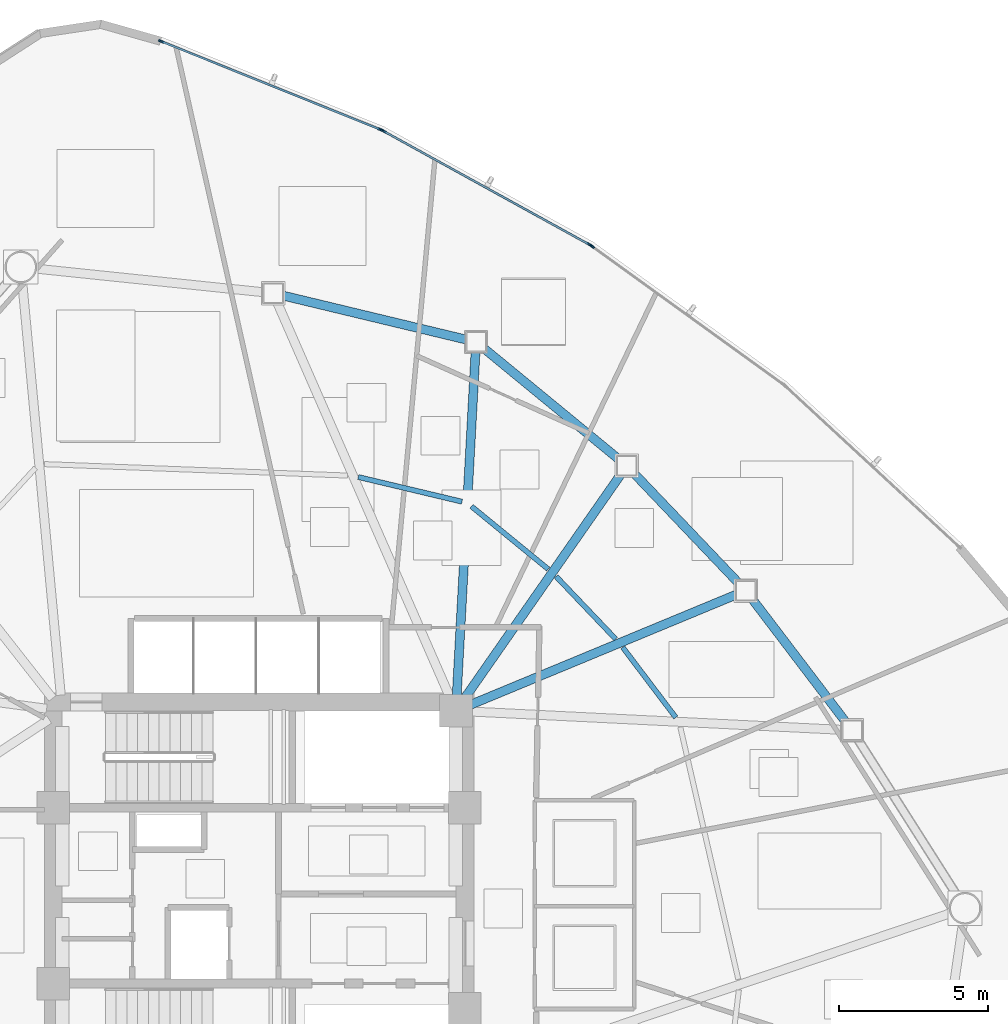
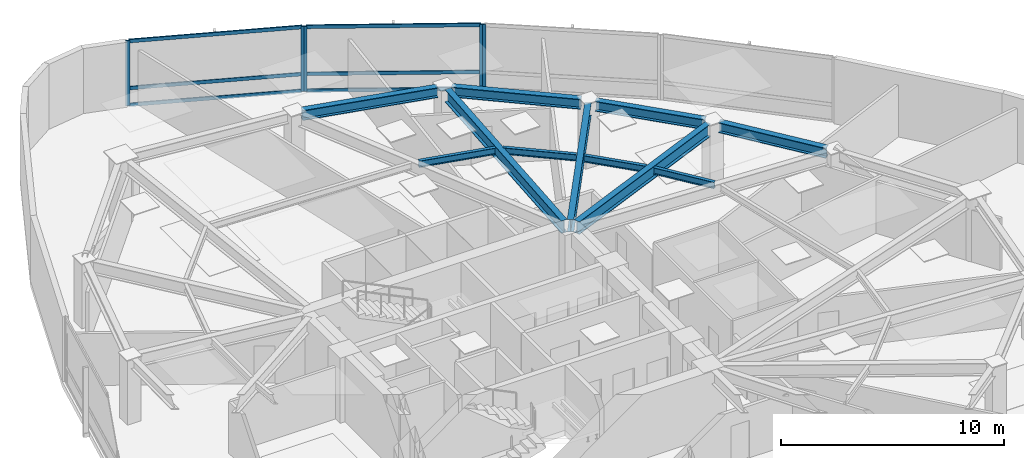
# One storey, part 8 of 17: 11 beams, 11 members, 3 elements without a shape of their own.
"""IFC4 building model written with IfcOpenShell, lengths in metres."""

from ifc_helpers import new_model, si_unit, direction, frame, origin, origin_2d, place, context, subcontext, project, spatial, hollow_rectangle, i_section, extrude, source, transform, mapped, material, layer, layer_set, material_profile, profile_set, type_object, type_shapes, element, aggregate, save


model = new_model("IFC4")

# Units and contexts
model_context = context("Model", 3, precision=1e-05, world=origin(), true_north=direction((0.0, 1.0)))
body_context = subcontext(model_context, "Body", "Model", "MODEL_VIEW")
ifc_project = project(units=[si_unit("LENGTHUNIT", "METRE"), si_unit("AREAUNIT", "SQUARE_METRE"), si_unit("VOLUMEUNIT", "CUBIC_METRE"), si_unit("PLANEANGLEUNIT", "RADIAN"), si_unit("MASSUNIT", "GRAM", prefix="KILO")], contexts=[model_context])

# Site, building, storey
site_placement = place(None, origin())
site = spatial("IfcSite", under=ifc_project, at=site_placement, CompositionType="ELEMENT")
building_placement = place(site_placement, origin())
building = spatial("IfcBuilding", under=site, at=building_placement, Name="Tavelor Broadcast Tower", CompositionType="ELEMENT")
storey_placement = place(building_placement, frame((0.0, 0.0, 119.449951171875)))
storey = spatial("IfcBuildingStorey", under=building, at=storey_placement, Name="L27", CompositionType="ELEMENT", Elevation=119.449951171875)

# Beams
ifc_material_1 = material(Name="Steel S355", Category="steel")
ifc_material_profile_1 = material_profile(ifc_material_1, i_section(OverallWidth=0.169921875, OverallDepth=0.360107421875, WebThickness=0.008056640625, FlangeThickness=0.0126953125, at=origin_2d()), Name="IPE 360")
ifc_profile_set_1 = profile_set([ifc_material_profile_1], Name="Steel S355")
beam_type_1 = type_object("IfcBeamType", Name="Composite Floor Joist T3 IPE 360", PredefinedType="JOIST", material=ifc_profile_set_1)
beam_1_placement = place(storey_placement, frame((63.97509765625, 50.974853515625, 3.3701171875), z_axis=(-0.603343158319, 0.797481682116, 0.0), x_axis=(-0.797481682116, -0.603343158319, 0.0)))
element("IfcBeam", 1, at=beam_1_placement, inside=storey, type_object=beam_type_1, Name="L27 Secondary Composite Floor Joist 14", PredefinedType="JOIST", context=body_context, shape_type="SweptSolid", body=[
    extrude(i_section(OverallWidth=0.169921875, OverallDepth=0.360107421875, WebThickness=0.008056640625, FlangeThickness=0.0126953125, at=origin_2d()), origin(), (0.0, 0.0, 1.0), 2.951416015625),
])
beam_2_placement = place(storey_placement, frame((61.960205078125, 53.60400390625, 3.3701171875), z_axis=(-0.689436692526, 0.724345944283, 0.0), x_axis=(-0.724345944283, -0.689436692526, 0.0)))
element("IfcBeam", 2, at=beam_2_placement, inside=storey, type_object=beam_type_1, Name="L27 Secondary Composite Floor Joist 15", PredefinedType="JOIST", context=body_context, shape_type="SweptSolid", body=[
    extrude(i_section(OverallWidth=0.169921875, OverallDepth=0.360107421875, WebThickness=0.008056640625, FlangeThickness=0.0126953125, at=origin_2d()), origin(), (0.0, 0.0, 1.0), 2.90234375),
])
beam_3_placement = place(storey_placement, frame((59.6943359375, 55.951904296875, 3.3701171875), z_axis=(-0.774130723206, 0.633025768345, 0.0), x_axis=(-0.633025768345, -0.774130723206, 0.0)))
element("IfcBeam", 3, at=beam_3_placement, inside=storey, type_object=beam_type_1, Name="L27 Secondary Composite Floor Joist 16", PredefinedType="JOIST", context=body_context, shape_type="SweptSolid", body=[
    extrude(i_section(OverallWidth=0.169921875, OverallDepth=0.360107421875, WebThickness=0.008056640625, FlangeThickness=0.0126953125, at=origin_2d()), origin(), (0.0, 0.0, 1.0), 3.32373046875),
])
beam_4_placement = place(storey_placement, frame((56.80517578125, 58.21240234375, 3.3701171875), z_axis=(-0.972854549724, 0.231417426056, 0.0), x_axis=(-0.231417426056, -0.972854549724, 0.0)))
element("IfcBeam", 4, at=beam_4_placement, inside=storey, type_object=beam_type_1, Name="L27 Secondary Composite Floor Joist 17", PredefinedType="JOIST", context=body_context, shape_type="SweptSolid", body=[
    extrude(i_section(OverallWidth=0.169921875, OverallDepth=0.360107421875, WebThickness=0.008056640625, FlangeThickness=0.0126953125, at=origin_2d()), origin(), (0.0, 0.0, 1.0), 3.575439453125),
])
ifc_material_profile_2 = material_profile(ifc_material_1, i_section(OverallWidth=0.300048828125, OverallDepth=0.550048828125, WebThickness=0.014892578125, FlangeThickness=0.029052734375, at=origin_2d()), Name="HEB 550")
ifc_profile_set_2 = profile_set([ifc_material_profile_2], Name="Steel S355")
beam_type_2 = type_object("IfcBeamType", Name="Perimeter Spandrel Beam T3 HEB 550", PredefinedType="SPANDREL", material=ifc_profile_set_2)
beam_5_placement = place(storey_placement, frame((69.6826171875, 50.8115234375, 3.275146484375), z_axis=(-0.605507005058, 0.795839975639, 0.0), x_axis=(-0.795839975639, -0.605507005058, 0.0)))
element("IfcBeam", 5, at=beam_5_placement, inside=storey, type_object=beam_type_2, Name="L27 Framed-Tube Ring Spandrel 14", PredefinedType="SPANDREL", context=body_context, shape_type="SweptSolid", body=[
    extrude(i_section(OverallWidth=0.300048828125, OverallDepth=0.550048828125, WebThickness=0.014892578125, FlangeThickness=0.029052734375, at=origin_2d()), origin(), (0.0, 0.0, 1.0), 5.214111328125),
])
beam_6_placement = place(storey_placement, frame((66.090087890625, 55.471923828125, 3.275146484375), z_axis=(-0.689928162502, 0.723877842309, 0.0), x_axis=(-0.723877842309, -0.689928162502, 0.0)))
element("IfcBeam", 6, at=beam_6_placement, inside=storey, type_object=beam_type_2, Name="L27 Framed-Tube Ring Spandrel 15", PredefinedType="SPANDREL", context=body_context, shape_type="SweptSolid", body=[
    extrude(i_section(OverallWidth=0.300048828125, OverallDepth=0.550048828125, WebThickness=0.014892578125, FlangeThickness=0.029052734375, at=origin_2d()), origin(), (0.0, 0.0, 1.0), 5.113037109375),
])
beam_7_placement = place(storey_placement, frame((62.0712890625, 59.62939453125, 3.275146484375), z_axis=(-0.772702936962, 0.634767808896, 0.0), x_axis=(-0.634767808896, -0.772702936962, 0.0)))
element("IfcBeam", 7, at=beam_7_placement, inside=storey, type_object=beam_type_2, Name="L27 Framed-Tube Ring Spandrel 16", PredefinedType="SPANDREL", context=body_context, shape_type="SweptSolid", body=[
    extrude(i_section(OverallWidth=0.300048828125, OverallDepth=0.550048828125, WebThickness=0.014892578125, FlangeThickness=0.029052734375, at=origin_2d()), origin(), (0.0, 0.0, 1.0), 5.869140625),
])
beam_8_placement = place(storey_placement, frame((56.949951171875, 63.64697265625, 3.275146484375), z_axis=(-0.972363823797, 0.233470756565, 0.0), x_axis=(-0.233470756565, -0.972363823797, 0.0)))
element("IfcBeam", 8, at=beam_8_placement, inside=storey, type_object=beam_type_2, Name="L27 Framed-Tube Ring Spandrel 17", PredefinedType="SPANDREL", context=body_context, shape_type="SweptSolid", body=[
    extrude(i_section(OverallWidth=0.300048828125, OverallDepth=0.550048828125, WebThickness=0.014892578125, FlangeThickness=0.029052734375, at=origin_2d()), origin(), (0.0, 0.0, 1.0), 6.325439453125),
])
ifc_material_profile_3 = material_profile(ifc_material_1, i_section(OverallWidth=0.300048828125, OverallDepth=0.68994140625, WebThickness=0.014404296875, FlangeThickness=0.027099609375, at=origin_2d()), Name="HEA 700")
ifc_profile_set_3 = profile_set([ifc_material_profile_3], Name="Steel S355")
beam_type_3 = type_object("IfcBeamType", Name="Radial Floor Girder T3 HEA 700", PredefinedType="BEAM", material=ifc_profile_set_3)
beam_9_placement = place(storey_placement, frame((57.087890625, 51.402099609375, 3.205078125), z_axis=(0.92381625254, 0.382836168018, 0.0), x_axis=(-0.382836168018, 0.92381625254, 0.0)))
element("IfcBeam", 9, at=beam_9_placement, inside=storey, type_object=beam_type_3, Name="L27 Radial Primary Floor Girder 15", PredefinedType="BEAM", context=body_context, shape_type="SweptSolid", body=[
    extrude(i_section(OverallWidth=0.300048828125, OverallDepth=0.68994140625, WebThickness=0.014404296875, FlangeThickness=0.027099609375, at=origin_2d()), origin(), (0.0, 0.0, 1.0), 9.659423828125),
])
beam_10_placement = place(storey_placement, frame((56.902099609375, 51.633056640625, 3.205078125), z_axis=(0.572088555537, 0.820191858423, 0.0), x_axis=(-0.820191858423, 0.572088555537, 0.0)))
element("IfcBeam", 10, at=beam_10_placement, inside=storey, type_object=beam_type_3, Name="L27 Radial Primary Floor Girder 16", PredefinedType="BEAM", context=body_context, shape_type="SweptSolid", body=[
    extrude(i_section(OverallWidth=0.300048828125, OverallDepth=0.68994140625, WebThickness=0.014404296875, FlangeThickness=0.027099609375, at=origin_2d()), origin(), (0.0, 0.0, 1.0), 9.1533203125),
])
beam_11_placement = place(storey_placement, frame((56.62890625, 51.727294921875, 3.205078125), z_axis=(0.054621583664, 0.998507126964, 0.0), x_axis=(-0.998507126964, 0.054621583664, 0.0)))
element("IfcBeam", 11, at=beam_11_placement, inside=storey, type_object=beam_type_3, Name="L27 Radial Primary Floor Girder 17", PredefinedType="BEAM", context=body_context, shape_type="SweptSolid", body=[
    extrude(i_section(OverallWidth=0.300048828125, OverallDepth=0.68994140625, WebThickness=0.014404296875, FlangeThickness=0.027099609375, at=origin_2d()), origin(), (0.0, 0.0, 1.0), 11.522705078125),
])

# Curtain wall, members
ifc_material_2 = material(Name="Architectural Anodized Aluminium", Category="aluminium")
ifc_layer = layer(ifc_material_2, 0.18994140625)
ifc_layer_set = layer_set([ifc_layer], Name="Architectural Anodized Aluminium")
curtain_wall_type = type_object("IfcCurtainWallType", Name="Tower Mid-Zone Acoustic Curtain Wall CW03", PredefinedType="NOTDEFINED", material=ifc_layer_set)
curtain_wall_1_placement = place(storey_placement, origin())
curtain_wall_1 = element("IfcCurtainWall", 12, at=curtain_wall_1_placement, inside=storey, type_object=curtain_wall_type, Name="L27 Curtain Wall CW03 Run 275", PredefinedType="NOTDEFINED")
ifc_material_profile_4 = material_profile(ifc_material_2, hollow_rectangle(XDim=0.068115234375, YDim=0.18994140625, WallThickness=0.02197265625, at=origin_2d()), Name="RHS 68x190x22")
ifc_profile_set_4 = profile_set([ifc_material_profile_4], Name="Architectural Anodized Aluminium")
member_type_1 = type_object("IfcMemberType", Name="CW03 Extruded Aluminium Transom 68x190", PredefinedType="USERDEFINED", material=ifc_profile_set_4)
shared_shape_1 = source(origin(), body_context, "Body", "SweptSolid", [
    extrude(hollow_rectangle(XDim=0.068115234375, YDim=0.18994140625, WallThickness=0.02197265625, at=origin_2d()), origin(), (0.0, 0.0, 1.0), 7.837890625),
])
member_1_placement = place(storey_placement, frame((61.05126953125, 66.846435546875, 0.033935546875), z_axis=(-0.875678067242, 0.482895353624, 0.0), x_axis=(-0.482895353624, -0.875678067242, 0.0)))
member_1 = element("IfcMember", 13, at=member_1_placement, type_object=member_type_1, Name="CW03 transom 1.1", ObjectType="TRANSOM", PredefinedType="USERDEFINED", context=body_context, shape_type="MappedRepresentation", body=[
    mapped(shared_shape_1, transform((0.0, 0.0, 0.0), scale=1.0)),
])
member_2_placement = place(storey_placement, frame((61.05126953125, 66.846435546875, 0.949951171875), z_axis=(-0.875678067242, 0.482895353624, 0.0), x_axis=(-0.482895353624, -0.875678067242, 0.0)))
member_2 = element("IfcMember", 14, at=member_2_placement, type_object=member_type_1, Name="CW03 transom 1.2", ObjectType="TRANSOM", PredefinedType="USERDEFINED", context=body_context, shape_type="MappedRepresentation", body=[
    mapped(shared_shape_1, transform((0.0, 0.0, 0.0), scale=1.0)),
])
member_3_placement = place(storey_placement, frame((61.05126953125, 66.846435546875, 3.51611328125), z_axis=(-0.875678067242, 0.482895353624, 0.0), x_axis=(-0.482895353624, -0.875678067242, 0.0)))
member_3 = element("IfcMember", 15, at=member_3_placement, type_object=member_type_1, Name="CW03 transom 1.3", ObjectType="TRANSOM", PredefinedType="USERDEFINED", context=body_context, shape_type="MappedRepresentation", body=[
    mapped(shared_shape_1, transform((0.0, 0.0, 0.0), scale=1.0)),
])

# Curtain wall, member
curtain_wall_2_placement = place(storey_placement, origin())
curtain_wall_2 = element("IfcCurtainWall", 16, at=curtain_wall_2_placement, inside=storey, type_object=curtain_wall_type, Name="L27 Curtain Wall CW03 Run 274", PredefinedType="NOTDEFINED")
ifc_material_profile_5 = material_profile(ifc_material_2, hollow_rectangle(XDim=0.068115234375, YDim=0.18994140625, WallThickness=0.02197265625, at=origin_2d()), Name="RHS 68x190x22")
ifc_profile_set_5 = profile_set([ifc_material_profile_5], Name="Architectural Anodized Aluminium")
member_type_2 = type_object("IfcMemberType", Name="CW03 Extruded Aluminium Mullion 68x190", PredefinedType="MULLION", material=ifc_profile_set_5)
shared_shape_2 = source(origin(), body_context, "Body", "SweptSolid", [
    extrude(hollow_rectangle(XDim=0.068115234375, YDim=0.18994140625, WallThickness=0.02197265625, at=origin_2d()), origin(), (0.0, 0.0, 1.0), 3.550048828125),
])
type_shapes(member_type_2, [shared_shape_2])
member_4_placement = place(storey_placement, frame((61.163818359375, 66.777587890625, 0.0), z_axis=(0.0, 0.0, 1.0), x_axis=(-0.585312883874, -0.810807515981, 0.0)))
member_4 = element("IfcMember", 17, at=member_4_placement, type_object=member_type_2, Name="CW03 mullion 2", PredefinedType="MULLION", context=body_context, shape_type="MappedRepresentation", body=[
    mapped(shared_shape_2, transform((0.0, 0.0, 0.0), scale=1.0)),
])
aggregate(curtain_wall_2, [member_4])

# Member
member_5_placement = place(storey_placement, frame((61.0810546875, 66.830078125, 0.0), z_axis=(0.0, 0.0, 1.0), x_axis=(-0.482888028925, -0.87568210643, 0.0)))
member_5 = element("IfcMember", 18, at=member_5_placement, type_object=member_type_2, Name="CW03 mullion 1", PredefinedType="MULLION", context=body_context, shape_type="MappedRepresentation", body=[
    mapped(shared_shape_2, transform((0.0, 0.0, 0.0), scale=1.0)),
])

member_6_placement = place(storey_placement, frame((54.157958984375, 70.647705078125, 0.0), z_axis=(0.0, 0.0, 1.0), x_axis=(-0.482888028925, -0.87568210643, 0.0)))
member_6 = element("IfcMember", 19, at=member_6_placement, type_object=member_type_2, Name="CW03 mullion 2", PredefinedType="MULLION", context=body_context, shape_type="MappedRepresentation", body=[
    mapped(shared_shape_2, transform((0.0, 0.0, 0.0), scale=1.0)),
])

aggregate(curtain_wall_1, [member_5, member_6, member_1, member_2, member_3])

# Curtain wall, members
curtain_wall_3_placement = place(storey_placement, origin())
curtain_wall_3 = element("IfcCurtainWall", 20, at=curtain_wall_3_placement, inside=storey, type_object=curtain_wall_type, Name="L27 Curtain Wall CW03 Run 276", PredefinedType="NOTDEFINED")
member_7_placement = place(storey_placement, frame((54.069580078125, 70.689697265625, 0.0), z_axis=(0.0, 0.0, 1.0), x_axis=(-0.37337077709, -0.927682199255, 0.0)))
member_7 = element("IfcMember", 21, at=member_7_placement, type_object=member_type_2, Name="CW03 mullion 1", PredefinedType="MULLION", context=body_context, shape_type="MappedRepresentation", body=[
    mapped(shared_shape_2, transform((0.0, 0.0, 0.0), scale=1.0)),
])
member_8_placement = place(storey_placement, frame((46.720703125, 73.6474609375, 0.0), z_axis=(0.0, 0.0, 1.0), x_axis=(-0.37337077709, -0.927682199255, 0.0)))
member_8 = element("IfcMember", 22, at=member_8_placement, type_object=member_type_2, Name="CW03 mullion 2", PredefinedType="MULLION", context=body_context, shape_type="MappedRepresentation", body=[
    mapped(shared_shape_2, transform((0.0, 0.0, 0.0), scale=1.0)),
])
shared_shape_3 = source(origin(), body_context, "Body", "SweptSolid", [
    extrude(hollow_rectangle(XDim=0.068115234375, YDim=0.18994140625, WallThickness=0.02197265625, at=origin_2d()), origin(), (0.0, 0.0, 1.0), 7.853759765625),
])
type_shapes(member_type_1, [shared_shape_1, shared_shape_3])
member_9_placement = place(storey_placement, frame((54.0380859375, 70.702392578125, 0.033935546875), z_axis=(-0.927683513158, 0.373367512533, 0.0), x_axis=(-0.373367512533, -0.927683513158, 0.0)))
member_9 = element("IfcMember", 23, at=member_9_placement, type_object=member_type_1, Name="CW03 transom 1.1", ObjectType="TRANSOM", PredefinedType="USERDEFINED", context=body_context, shape_type="MappedRepresentation", body=[
    mapped(shared_shape_3, transform((0.0, 0.0, 0.0), scale=1.0)),
])
member_10_placement = place(storey_placement, frame((54.0380859375, 70.702392578125, 0.949951171875), z_axis=(-0.927683513158, 0.373367512533, 0.0), x_axis=(-0.373367512533, -0.927683513158, 0.0)))
member_10 = element("IfcMember", 24, at=member_10_placement, type_object=member_type_1, Name="CW03 transom 1.2", ObjectType="TRANSOM", PredefinedType="USERDEFINED", context=body_context, shape_type="MappedRepresentation", body=[
    mapped(shared_shape_3, transform((0.0, 0.0, 0.0), scale=1.0)),
])
member_11_placement = place(storey_placement, frame((54.0380859375, 70.702392578125, 3.51611328125), z_axis=(-0.927683513158, 0.373367512533, 0.0), x_axis=(-0.373367512533, -0.927683513158, 0.0)))
member_11 = element("IfcMember", 25, at=member_11_placement, type_object=member_type_1, Name="CW03 transom 1.3", ObjectType="TRANSOM", PredefinedType="USERDEFINED", context=body_context, shape_type="MappedRepresentation", body=[
    mapped(shared_shape_3, transform((0.0, 0.0, 0.0), scale=1.0)),
])
aggregate(curtain_wall_3, [member_7, member_8, member_9, member_10, member_11])

save(model, "model.ifc")
